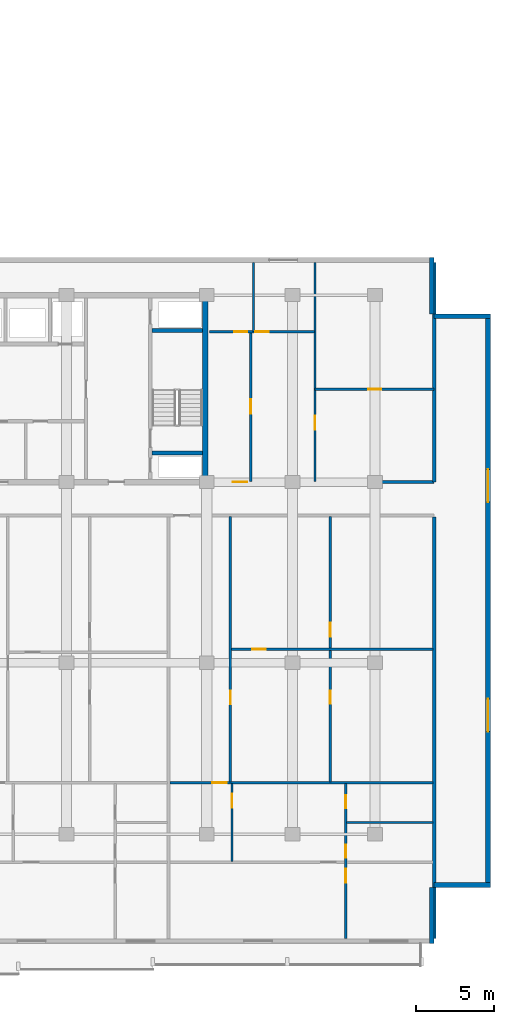
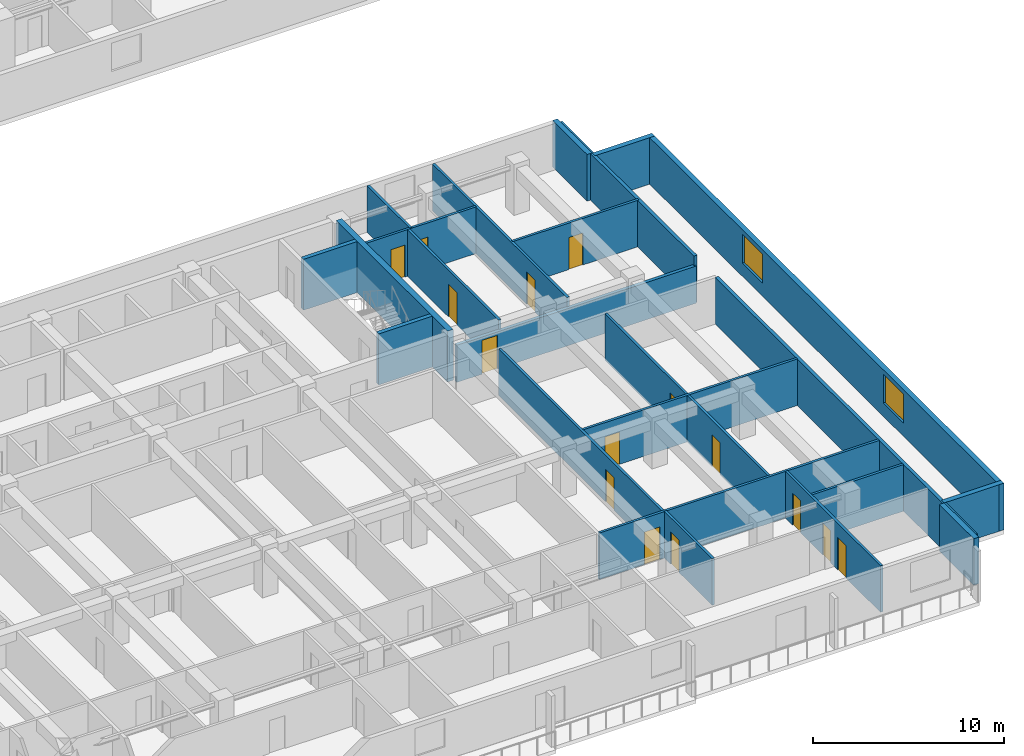
# One storey, part 8 of 23: 23 walls, 15 doors, 2 windows, 17 openings.
"""IFC4 building model written with IfcOpenShell, lengths in metres."""

from ifc_helpers import new_model, si_unit, direction, frame, frame_2d, origin, place, context, subcontext, project, spatial, rectangle, extrude, material, layer, layer_set, type_object, element, fill, save


model = new_model("IFC4")

# Units and contexts
model_context = context("Model", 3, precision=1e-05, world=origin(), true_north=direction((0.0, 1.0)))
body_context = subcontext(model_context, "Body", "Model", "MODEL_VIEW")
ifc_project = project(units=[si_unit("LENGTHUNIT", "METRE"), si_unit("AREAUNIT", "SQUARE_METRE"), si_unit("VOLUMEUNIT", "CUBIC_METRE"), si_unit("PLANEANGLEUNIT", "RADIAN"), si_unit("MASSUNIT", "GRAM", prefix="KILO")], contexts=[model_context])

# Site, building, storey
site_placement = place(None, origin())
site = spatial("IfcSite", under=ifc_project, at=site_placement, CompositionType="ELEMENT")
building_placement = place(site_placement, origin())
building = spatial("IfcBuilding", under=site, at=building_placement, Name="Korimba Cascade Residences", CompositionType="ELEMENT")
storey_placement = place(building_placement, frame((0.0, 0.0, 40.25)))
storey = spatial("IfcBuildingStorey", under=building, at=storey_placement, Name="L10", CompositionType="ELEMENT", Elevation=40.25)

# Walls
ifc_material_1 = material(Name="Precast concrete C40/50", Category="concrete")
ifc_layer_1 = layer(ifc_material_1, 0.300048828125)
ifc_layer_set_1 = layer_set([ifc_layer_1], Name="Precast concrete C40/50")
wall_type_1 = type_object("IfcWallType", Name="EW-STONE-300", PredefinedType="STANDARD", material=ifc_layer_set_1)
wall_1_placement = place(storey_placement, frame((132.550048828125, -11.199951171875, 0.0), z_axis=(0.0, 0.0, 1.0), x_axis=(0.0, 1.0, 0.0)))
element("IfcWall", 1, at=wall_1_placement, inside=storey, type_object=wall_type_1, Name="L10 T2 Perimeter Stone Wall E01", PredefinedType="STANDARD", context=body_context, shape_type="SweptSolid", body=[
    extrude(rectangle(XDim=3.599853515625, YDim=0.300048828125, at=frame_2d((1.7998046875, 0.0))), origin(), (0.0, 0.0, 1.0), 2.969970703125),
])
wall_2_placement = place(storey_placement, frame((132.699951171875, -7.449951171875, 0.0), z_axis=(0.0, 0.0, 1.0), x_axis=(1.0, 0.0, 0.0)))
element("IfcWall", 2, at=wall_2_placement, inside=storey, type_object=wall_type_1, Name="L10 T2 Perimeter Stone Wall E02", PredefinedType="STANDARD", context=body_context, shape_type="SweptSolid", body=[
    extrude(rectangle(XDim=3.60009765625, YDim=0.300048828125, at=frame_2d((1.800048828125, 0.0))), origin(), (0.0, 0.0, 1.0), 2.969970703125),
])

# Wall, openings, windows
wall_3_placement = place(storey_placement, frame((136.14990234375, -7.60009765625, 0.0), z_axis=(0.0, 0.0, 1.0), x_axis=(0.0, 1.0, 0.0)))
wall_3 = element("IfcWall", 3, at=wall_3_placement, inside=storey, type_object=wall_type_1, Name="L10 T2 Perimeter Stone Wall E03", PredefinedType="STANDARD", context=body_context, shape_type="SweptSolid", body=[
    extrude(rectangle(XDim=36.800048828125, YDim=0.300048828125, at=frame_2d((18.39990234375, 0.0))), origin(), (0.0, 0.0, 1.0), 2.969970703125),
])
opening_1_placement = place(wall_3_placement, frame((9.989990234375, 0.0, 0.85009765625)))
opening_1 = element("IfcOpeningElement", 4, at=opening_1_placement, cuts=wall_3, Name="Opening W-03", PredefinedType="OPENING", context=body_context, shape_type="SweptSolid", body=[
    extrude(rectangle(XDim=2.10009765625, YDim=1.85009765625, at=frame_2d((1.050048828125, 0.925048828125))), frame((0.0, 0.16015625, 0.0), z_axis=(0.0, -1.0, 0.0), x_axis=(1.0, 0.0, 0.0)), (0.0, 0.0, 1.0), 0.320068359375),
])
opening_2_placement = place(wall_3_placement, frame((24.7099609375, 0.0, 0.85009765625)))
opening_2 = element("IfcOpeningElement", 5, at=opening_2_placement, cuts=wall_3, Name="Opening W-03", PredefinedType="OPENING", context=body_context, shape_type="SweptSolid", body=[
    extrude(rectangle(XDim=2.10009765625, YDim=1.85009765625, at=frame_2d((1.050048828125, 0.925048828125))), frame((0.0, 0.16015625, 0.0), z_axis=(0.0, -1.0, 0.0), x_axis=(1.0, 0.0, 0.0)), (0.0, 0.0, 1.0), 0.320068359375),
])
ifc_material_2 = material(Name="Double-Glazed Aluminium Window", Category="aluminium")
window_type = type_object("IfcWindowType", Name="WIN-CRN-2100", PartitioningType="DOUBLE_PANEL_HORIZONTAL", PredefinedType="WINDOW", material=ifc_material_2)
window_1_placement = place(opening_1_placement, origin())
window_1 = element("IfcWindow", 6, at=window_1_placement, inside=storey, type_object=window_type, Name="L10 T2 End View Window 3.1", OverallHeight=1.85009765625, OverallWidth=2.10009765625, PartitioningType="DOUBLE_PANEL_HORIZONTAL", PredefinedType="WINDOW", context=body_context, shape_type="SweptSolid", body=[
    extrude(rectangle(XDim=2.10009765625, YDim=1.85009765625, at=frame_2d((1.050048828125, 0.925048828125))), frame((0.0, 0.030029296875, 0.0), z_axis=(0.0, -1.0, 0.0), x_axis=(1.0, 0.0, 0.0)), (0.0, 0.0, 1.0), 0.06005859375),
])
fill(opening_1, window_1)
window_2_placement = place(opening_2_placement, origin())
window_2 = element("IfcWindow", 7, at=window_2_placement, inside=storey, type_object=window_type, Name="L10 T2 End View Window 3.2", OverallHeight=1.85009765625, OverallWidth=2.10009765625, PartitioningType="DOUBLE_PANEL_HORIZONTAL", PredefinedType="WINDOW", context=body_context, shape_type="SweptSolid", body=[
    extrude(rectangle(XDim=2.10009765625, YDim=1.85009765625, at=frame_2d((1.050048828125, 0.925048828125))), frame((0.0, 0.030029296875, 0.0), z_axis=(0.0, -1.0, 0.0), x_axis=(1.0, 0.0, 0.0)), (0.0, 0.0, 1.0), 0.06005859375),
])
fill(opening_2, window_2)

# Walls
for number, where, z_axis, x_axis, name in (
    (8, (136.300048828125, 29.050048828125, 0.0), (0.0, 0.0, 1.0), (-1.0, 0.0, 0.0), "L10 T2 Perimeter Stone Wall E04"),
    (9, (132.550048828125, 29.199951171875, 0.0), (0.0, 0.0, 1.0), (0.0, 1.0, 0.0), "L10 T2 Perimeter Stone Wall E05"),
):
    element("IfcWall", number, at=place(storey_placement, frame(where, z_axis=z_axis, x_axis=x_axis)), inside=storey, type_object=wall_type_1, Name=name, PredefinedType="STANDARD", context=body_context, shape_type="SweptSolid", body=[
        extrude(rectangle(XDim=3.60009765625, YDim=0.300048828125, at=frame_2d((1.800048828125, 0.0))), origin(), (0.0, 0.0, 1.0), 2.969970703125),
    ])
ifc_material_3 = material(Name="Concrete C65/80", Category="concrete")
ifc_layer_2 = layer(ifc_material_3, 0.35009765625)
ifc_layer_set_2 = layer_set([ifc_layer_2], Name="Concrete C65/80")
wall_type_2 = type_object("IfcWallType", Name="WAL-CORE-350", PredefinedType="SHEAR", material=ifc_layer_set_2)
wall_4_placement = place(storey_placement, frame((118.014892578125, 18.574951171875, 0.0), z_axis=(0.0, 0.0, 1.0), x_axis=(0.0, 1.0, 0.0)))
element("IfcWall", 10, at=wall_4_placement, inside=storey, type_object=wall_type_2, Name="L10 Core Shear Wall CW-L10-T2-E", PredefinedType="SHEAR", context=body_context, shape_type="SweptSolid", body=[
    extrude(rectangle(XDim=11.650146484375, YDim=0.35009765625, at=frame_2d((5.8251953125, 0.0))), origin(), (0.0, 0.0, 1.0), 3.25),
])
ifc_layer_3 = layer(ifc_material_1, 0.199951171875)
ifc_layer_set_3 = layer_set([ifc_layer_3], Name="Precast concrete C40/50")
wall_type_3 = type_object("IfcWallType", Name="WAL-IT-200", PredefinedType="PARTITIONING", material=ifc_layer_set_3)
wall_5_placement = place(storey_placement, frame((132.699951171875, 18.39990234375, 0.0), z_axis=(0.0, 0.0, 1.0), x_axis=(0.0, 1.0, 0.0)))
element("IfcWall", 11, at=wall_5_placement, inside=storey, type_object=wall_type_3, Name="L10 Partition Wall WAL-L10-T2-FE-WR", PredefinedType="PARTITIONING", context=body_context, shape_type="SweptSolid", body=[
    extrude(rectangle(XDim=14.10009765625, YDim=0.199951171875, at=frame_2d((7.050048828125, 0.0))), origin(), (0.0, 0.0, 1.0), 2.969970703125),
])

# Wall, opening, door
wall_6_placement = place(storey_placement, frame((118.25, 18.39990234375, 0.0), z_axis=(0.0, 0.0, 1.0), x_axis=(1.0, 0.0, 0.0)))
wall_6 = element("IfcWall", 12, at=wall_6_placement, inside=storey, type_object=wall_type_3, Name="L10 Partition Wall WAL-L10-T2-FE-S", PredefinedType="PARTITIONING", context=body_context, shape_type="SweptSolid", body=[
    extrude(rectangle(XDim=14.449951171875, YDim=0.199951171875, at=frame_2d((7.22509765625, 0.0))), origin(), (0.0, 0.0, 1.0), 2.3701171875),
])
opening_3_placement = place(wall_6_placement, frame((1.510009765625, 0.0, 0.0)))
opening_3 = element("IfcOpeningElement", 13, at=opening_3_placement, cuts=wall_6, Name="Opening D-UN1", PredefinedType="OPENING", context=body_context, shape_type="SweptSolid", body=[
    extrude(rectangle(XDim=0.949951171875, YDim=2.14990234375, at=frame_2d((0.47509765625, 1.074951171875))), frame((0.0, 0.10986328125, 0.0), z_axis=(0.0, -1.0, 0.0), x_axis=(1.0, 0.0, 0.0)), (0.0, 0.0, 1.0), 0.219970703125),
])
ifc_material_4 = material(Name="Fire-Rated Hardwood Apartment Entrance Door", Category="wood")
door_type_1 = type_object("IfcDoorType", Name="DR-FD60-950", OperationType="NOTDEFINED", PredefinedType="DOOR", material=ifc_material_4)
door_1_placement = place(opening_3_placement, origin())
door_1 = element("IfcDoor", 14, at=door_1_placement, inside=storey, type_object=door_type_1, Name="L10-T2-FE Entrance Door", OperationType="SINGLE_SWING_LEFT", OverallHeight=2.14990234375, OverallWidth=0.949951171875, PredefinedType="DOOR", context=body_context, shape_type="SweptSolid", body=[
    extrude(rectangle(XDim=0.949951171875, YDim=2.14990234375, at=frame_2d((0.47509765625, 1.074951171875))), frame((0.0, 0.02490234375, 0.0), z_axis=(0.0, -1.0, 0.0), x_axis=(1.0, 0.0, 0.0)), (0.0, 0.0, 1.0), 0.050048828125),
])
fill(opening_3, door_1)

# Wall
wall_7_placement = place(storey_placement, frame((132.699951171875, -10.89990234375, 0.0), z_axis=(0.0, 0.0, 1.0), x_axis=(0.0, 1.0, 0.0)))
element("IfcWall", 15, at=wall_7_placement, inside=storey, type_object=wall_type_3, Name="L10 Partition Wall WAL-L10-T2-BNDWR", PredefinedType="PARTITIONING", context=body_context, shape_type="SweptSolid", body=[
    extrude(rectangle(XDim=27.06982421875, YDim=0.199951171875, at=frame_2d((13.534912109375, 0.0))), origin(), (0.0, 0.0, 1.0), 2.969970703125),
])

# Wall, opening, door
ifc_material_5 = material(Name="Insulated Acoustic Stud Partition", Category="gypsum")
ifc_layer_4 = layer(ifc_material_5, 0.14990234375)
ifc_layer_set_4 = layer_set([ifc_layer_4], Name="Insulated Acoustic Stud Partition")
wall_type_4 = type_object("IfcWallType", Name="WAL-PART-150", PredefinedType="PARTITIONING", material=ifc_layer_set_4)
wall_8_placement = place(storey_placement, frame((125.050048828125, 24.35009765625, 0.0), z_axis=(0.0, 0.0, 1.0), x_axis=(1.0, 0.0, 0.0)))
wall_8 = element("IfcWall", 16, at=wall_8_placement, inside=storey, type_object=wall_type_4, Name="L10 Partition Wall WAL-L10-T2-FE-STH", PredefinedType="PARTITIONING", context=body_context, shape_type="SweptSolid", body=[
    extrude(rectangle(XDim=7.64990234375, YDim=0.14990234375, at=frame_2d((3.824951171875, 0.0))), origin(), (0.0, 0.0, 1.0), 2.969970703125),
])
opening_4_placement = place(wall_8_placement, frame((3.405029296875, 0.0, 0.0)))
opening_4 = element("IfcOpeningElement", 17, at=opening_4_placement, cuts=wall_8, Name="Opening D-BT1", PredefinedType="OPENING", context=body_context, shape_type="SweptSolid", body=[
    extrude(rectangle(XDim=0.840087890625, YDim=2.0400390625, at=frame_2d((0.419921875, 1.02001953125))), frame((0.0, 0.0849609375, 0.0), z_axis=(0.0, -1.0, 0.0), x_axis=(1.0, 0.0, 0.0)), (0.0, 0.0, 1.0), 0.169921875),
])
ifc_material_6 = material(Name="Moisture-Resistant Bathroom Timber Door", Category="wood")
door_type_2 = type_object("IfcDoorType", Name="DR-INT-850", OperationType="NOTDEFINED", PredefinedType="DOOR", material=ifc_material_6)
door_2_placement = place(opening_4_placement, origin())
door_2 = element("IfcDoor", 18, at=door_2_placement, inside=storey, type_object=door_type_2, Name="L10-T2-FE Dressing Store Door", OperationType="SINGLE_SWING_RIGHT", OverallHeight=2.0400390625, OverallWidth=0.840087890625, PredefinedType="DOOR", context=body_context, shape_type="SweptSolid", body=[
    extrude(rectangle(XDim=0.840087890625, YDim=2.0400390625, at=frame_2d((0.419921875, 1.02001953125))), frame((0.0, 0.02490234375, 0.0), z_axis=(0.0, -1.0, 0.0), x_axis=(1.0, 0.0, 0.0)), (0.0, 0.0, 1.0), 0.050048828125),
])
fill(opening_4, door_2)

wall_9_placement = place(storey_placement, frame((125.050048828125, 18.449951171875, 0.0), z_axis=(0.0, 0.0, 1.0), x_axis=(0.0, 1.0, 0.0)))
wall_9 = element("IfcWall", 19, at=wall_9_placement, inside=storey, type_object=wall_type_4, Name="L10 Partition Wall WAL-L10-T2-FE-STV", PredefinedType="PARTITIONING", context=body_context, shape_type="SweptSolid", body=[
    extrude(rectangle(XDim=14.050048828125, YDim=0.14990234375, at=frame_2d((7.02490234375, 0.0))), origin(), (0.0, 0.0, 1.0), 2.969970703125),
])
opening_5_placement = place(wall_9_placement, frame((3.320068359375, 0.0, 0.0)))
opening_5 = element("IfcOpeningElement", 20, at=opening_5_placement, cuts=wall_9, Name="Opening D-IN2", PredefinedType="OPENING", context=body_context, shape_type="SweptSolid", body=[
    extrude(rectangle(XDim=0.8798828125, YDim=2.06005859375, at=frame_2d((0.43994140625, 1.030029296875))), frame((0.0, 0.0849609375, 0.0), z_axis=(0.0, -1.0, 0.0), x_axis=(1.0, 0.0, 0.0)), (0.0, 0.0, 1.0), 0.169921875),
])
ifc_material_7 = material(Name="Acoustic Timber Bedroom Door", Category="wood")
door_type_3 = type_object("IfcDoorType", Name="DR-INT-880", OperationType="NOTDEFINED", PredefinedType="DOOR", material=ifc_material_7)
door_3_placement = place(opening_5_placement, origin())
door_3 = element("IfcDoor", 21, at=door_3_placement, inside=storey, type_object=door_type_3, Name="L10-T2-FE Study Door", OperationType="SINGLE_SWING_LEFT", OverallHeight=2.06005859375, OverallWidth=0.8798828125, PredefinedType="DOOR", context=body_context, shape_type="SweptSolid", body=[
    extrude(rectangle(XDim=0.8798828125, YDim=2.06005859375, at=frame_2d((0.43994140625, 1.030029296875))), frame((0.0, 0.02490234375, 0.0), z_axis=(0.0, -1.0, 0.0), x_axis=(1.0, 0.0, 0.0)), (0.0, 0.0, 1.0), 0.050048828125),
])
fill(opening_5, door_3)

wall_10_placement = place(storey_placement, frame((120.929931640625, 18.449951171875, 0.0), z_axis=(0.0, 0.0, 1.0), x_axis=(0.0, 1.0, 0.0)))
wall_10 = element("IfcWall", 22, at=wall_10_placement, inside=storey, type_object=wall_type_4, Name="L10 Partition Wall WAL-L10-T2-FE-VS", PredefinedType="PARTITIONING", context=body_context, shape_type="SweptSolid", body=[
    extrude(rectangle(XDim=9.60009765625, YDim=0.14990234375, at=frame_2d((4.800048828125, 0.0))), origin(), (0.0, 0.0, 1.0), 2.969970703125),
])
opening_6_placement = place(wall_10_placement, frame((4.340087890625, 0.0, 0.0)))
opening_6 = element("IfcOpeningElement", 23, at=opening_6_placement, cuts=wall_10, Name="Opening D-IN1", PredefinedType="OPENING", context=body_context, shape_type="SweptSolid", body=[
    extrude(rectangle(XDim=0.919921875, YDim=2.080078125, at=frame_2d((0.4599609375, 1.0400390625))), frame((0.0, 0.0849609375, 0.0), z_axis=(0.0, -1.0, 0.0), x_axis=(1.0, 0.0, 0.0)), (0.0, 0.0, 1.0), 0.169921875),
])
ifc_material_8 = material(Name="Acoustic Timber Living Door", Category="wood")
door_type_4 = type_object("IfcDoorType", Name="DR-INT-920", OperationType="NOTDEFINED", PredefinedType="DOOR", material=ifc_material_8)
door_4_placement = place(opening_6_placement, origin())
door_4 = element("IfcDoor", 24, at=door_4_placement, inside=storey, type_object=door_type_4, Name="L10-T2-FE Living Door", OperationType="SINGLE_SWING_RIGHT", OverallHeight=2.080078125, OverallWidth=0.919921875, PredefinedType="DOOR", context=body_context, shape_type="SweptSolid", body=[
    extrude(rectangle(XDim=0.919921875, YDim=2.080078125, at=frame_2d((0.4599609375, 1.0400390625))), frame((0.0, 0.02490234375, 0.0), z_axis=(0.0, -1.0, 0.0), x_axis=(1.0, 0.0, 0.0)), (0.0, 0.0, 1.0), 0.050048828125),
])
fill(opening_6, door_4)

# Wall
wall_11_placement = place(storey_placement, frame((121.10009765625, 28.050048828125, 0.0), z_axis=(0.0, 0.0, 1.0), x_axis=(0.0, 1.0, 0.0)))
element("IfcWall", 25, at=wall_11_placement, inside=storey, type_object=wall_type_4, Name="L10 Partition Wall WAL-L10-T2-FE-VN", PredefinedType="PARTITIONING", context=body_context, shape_type="SweptSolid", body=[
    extrude(rectangle(XDim=4.449951171875, YDim=0.14990234375, at=frame_2d((2.22509765625, 0.0))), origin(), (0.0, 0.0, 1.0), 2.969970703125),
])

# Wall, openings, doors
wall_12_placement = place(storey_placement, frame((118.27001953125, 28.050048828125, 0.0), z_axis=(0.0, 0.0, 1.0), x_axis=(1.0, 0.0, 0.0)))
wall_12 = element("IfcWall", 26, at=wall_12_placement, inside=storey, type_object=wall_type_4, Name="L10 Partition Wall WAL-L10-T2-FE-H", PredefinedType="PARTITIONING", context=body_context, shape_type="SweptSolid", body=[
    extrude(rectangle(XDim=6.760009765625, YDim=0.14990234375, at=frame_2d((3.3798828125, 0.0))), origin(), (0.0, 0.0, 1.0), 2.969970703125),
])
opening_7_placement = place(wall_12_placement, frame((1.58740234375, 0.0, 0.0)))
opening_7 = element("IfcOpeningElement", 27, at=opening_7_placement, cuts=wall_12, Name="Opening D-BT1", PredefinedType="OPENING", context=body_context, shape_type="SweptSolid", body=[
    extrude(rectangle(XDim=0.840087890625, YDim=2.0400390625, at=frame_2d((0.419921875, 1.02001953125))), frame((0.0, 0.0849609375, 0.0), z_axis=(0.0, -1.0, 0.0), x_axis=(1.0, 0.0, 0.0)), (0.0, 0.0, 1.0), 0.169921875),
])
opening_8_placement = place(wall_12_placement, frame((2.93408203125, 0.0, 0.0)))
opening_8 = element("IfcOpeningElement", 28, at=opening_8_placement, cuts=wall_12, Name="Opening D-IN2", PredefinedType="OPENING", context=body_context, shape_type="SweptSolid", body=[
    extrude(rectangle(XDim=0.8798828125, YDim=2.06005859375, at=frame_2d((0.43994140625, 1.030029296875))), frame((0.0, 0.0849609375, 0.0), z_axis=(0.0, -1.0, 0.0), x_axis=(1.0, 0.0, 0.0)), (0.0, 0.0, 1.0), 0.169921875),
])
door_5_placement = place(opening_7_placement, origin())
door_5 = element("IfcDoor", 29, at=door_5_placement, inside=storey, type_object=door_type_2, Name="L10-T2-FE Bathroom Door", OperationType="SINGLE_SWING_LEFT", OverallHeight=2.0400390625, OverallWidth=0.840087890625, PredefinedType="DOOR", context=body_context, shape_type="SweptSolid", body=[
    extrude(rectangle(XDim=0.840087890625, YDim=2.0400390625, at=frame_2d((0.419921875, 1.02001953125))), frame((0.0, 0.02490234375, 0.0), z_axis=(0.0, -1.0, 0.0), x_axis=(1.0, 0.0, 0.0)), (0.0, 0.0, 1.0), 0.050048828125),
])
fill(opening_7, door_5)
door_6_placement = place(opening_8_placement, origin())
door_6 = element("IfcDoor", 30, at=door_6_placement, inside=storey, type_object=door_type_3, Name="L10-T2-FE Bedroom Door", OperationType="SINGLE_SWING_RIGHT", OverallHeight=2.06005859375, OverallWidth=0.8798828125, PredefinedType="DOOR", context=body_context, shape_type="SweptSolid", body=[
    extrude(rectangle(XDim=0.8798828125, YDim=2.06005859375, at=frame_2d((0.43994140625, 1.030029296875))), frame((0.0, 0.02490234375, 0.0), z_axis=(0.0, -1.0, 0.0), x_axis=(1.0, 0.0, 0.0)), (0.0, 0.0, 1.0), 0.050048828125),
])
fill(opening_8, door_6)

wall_13_placement = place(storey_placement, frame((126.030517578125, -0.860107421875, 0.0), z_axis=(0.0, 0.0, 1.0), x_axis=(0.0, 1.0, 0.0)))
wall_13 = element("IfcWall", 31, at=wall_13_placement, inside=storey, type_object=wall_type_4, Name="L10 Partition Wall WAL-L10-T2-U04-FMV", PredefinedType="PARTITIONING", context=body_context, shape_type="SweptSolid", body=[
    extrude(rectangle(XDim=17.050048828125, YDim=0.14990234375, at=frame_2d((8.52490234375, 0.0))), origin(), (0.0, 0.0, 1.0), 2.969970703125),
])
opening_9_placement = place(wall_13_placement, frame((5.026123046875, 0.0, 0.0)))
opening_9 = element("IfcOpeningElement", 32, at=opening_9_placement, cuts=wall_13, Name="Opening D-BT1", PredefinedType="OPENING", context=body_context, shape_type="SweptSolid", body=[
    extrude(rectangle(XDim=0.840087890625, YDim=2.0400390625, at=frame_2d((0.419921875, 1.02001953125))), frame((0.0, 0.0849609375, 0.0), z_axis=(0.0, -1.0, 0.0), x_axis=(1.0, 0.0, 0.0)), (0.0, 0.0, 1.0), 0.169921875),
])
opening_10_placement = place(wall_13_placement, frame((9.338623046875, 0.0, 0.0)))
opening_10 = element("IfcOpeningElement", 33, at=opening_10_placement, cuts=wall_13, Name="Opening D-IN2", PredefinedType="OPENING", context=body_context, shape_type="SweptSolid", body=[
    extrude(rectangle(XDim=0.8798828125, YDim=2.06005859375, at=frame_2d((0.43994140625, 1.030029296875))), frame((0.0, 0.0849609375, 0.0), z_axis=(0.0, -1.0, 0.0), x_axis=(1.0, 0.0, 0.0)), (0.0, 0.0, 1.0), 0.169921875),
])
door_7_placement = place(opening_9_placement, origin())
door_7 = element("IfcDoor", 34, at=door_7_placement, inside=storey, type_object=door_type_2, Name="L10-T2-U04 Wardrobe Door", OperationType="SINGLE_SWING_RIGHT", OverallHeight=2.0400390625, OverallWidth=0.840087890625, PredefinedType="DOOR", context=body_context, shape_type="SweptSolid", body=[
    extrude(rectangle(XDim=0.840087890625, YDim=2.0400390625, at=frame_2d((0.419921875, 1.02001953125))), frame((0.0, 0.02490234375, 0.0), z_axis=(0.0, -1.0, 0.0), x_axis=(1.0, 0.0, 0.0)), (0.0, 0.0, 1.0), 0.050048828125),
])
fill(opening_9, door_7)
door_8_placement = place(opening_10_placement, origin())
door_8 = element("IfcDoor", 35, at=door_8_placement, inside=storey, type_object=door_type_3, Name="L10-T2-U04 Music Lounge Door", OperationType="SINGLE_SWING_LEFT", OverallHeight=2.06005859375, OverallWidth=0.8798828125, PredefinedType="DOOR", context=body_context, shape_type="SweptSolid", body=[
    extrude(rectangle(XDim=0.8798828125, YDim=2.06005859375, at=frame_2d((0.43994140625, 1.030029296875))), frame((0.0, 0.02490234375, 0.0), z_axis=(0.0, -1.0, 0.0), x_axis=(1.0, 0.0, 0.0)), (0.0, 0.0, 1.0), 0.050048828125),
])
fill(opening_10, door_8)

# Wall, opening, door
wall_14_placement = place(storey_placement, frame((119.680908203125, 7.6650390625, 0.0), z_axis=(0.0, 0.0, 1.0), x_axis=(1.0, 0.0, 0.0)))
wall_14 = element("IfcWall", 36, at=wall_14_placement, inside=storey, type_object=wall_type_4, Name="L10 Partition Wall WAL-L10-T2-U04-FMH", PredefinedType="PARTITIONING", context=body_context, shape_type="SweptSolid", body=[
    extrude(rectangle(XDim=12.939208984375, YDim=0.14990234375, at=frame_2d((6.4697265625, 0.0))), origin(), (0.0, 0.0, 1.0), 2.969970703125),
])
opening_11_placement = place(wall_14_placement, frame((1.329833984375, 0.0, 0.0)))
opening_11 = element("IfcOpeningElement", 37, at=opening_11_placement, cuts=wall_14, Name="Opening D-IN2", PredefinedType="OPENING", context=body_context, shape_type="SweptSolid", body=[
    extrude(rectangle(XDim=0.8798828125, YDim=2.06005859375, at=frame_2d((0.43994140625, 1.030029296875))), frame((0.0, 0.0849609375, 0.0), z_axis=(0.0, -1.0, 0.0), x_axis=(1.0, 0.0, 0.0)), (0.0, 0.0, 1.0), 0.169921875),
])
door_9_placement = place(opening_11_placement, origin())
door_9 = element("IfcDoor", 38, at=door_9_placement, inside=storey, type_object=door_type_3, Name="L10-T2-U04 Library Salon Door", OperationType="SINGLE_SWING_RIGHT", OverallHeight=2.06005859375, OverallWidth=0.8798828125, PredefinedType="DOOR", context=body_context, shape_type="SweptSolid", body=[
    extrude(rectangle(XDim=0.8798828125, YDim=2.06005859375, at=frame_2d((0.43994140625, 1.030029296875))), frame((0.0, 0.02490234375, 0.0), z_axis=(0.0, -1.0, 0.0), x_axis=(1.0, 0.0, 0.0)), (0.0, 0.0, 1.0), 0.050048828125),
])
fill(opening_11, door_9)

wall_15_placement = place(storey_placement, frame((119.620849609375, -0.860107421875, 0.0), z_axis=(0.0, 0.0, 1.0), x_axis=(0.0, 1.0, 0.0)))
wall_15 = element("IfcWall", 39, at=wall_15_placement, inside=storey, type_object=wall_type_4, Name="L10 Partition Wall WAL-L10-T2-U04-FV", PredefinedType="PARTITIONING", context=body_context, shape_type="SweptSolid", body=[
    extrude(rectangle(XDim=17.050048828125, YDim=0.14990234375, at=frame_2d((8.52490234375, 0.0))), origin(), (0.0, 0.0, 1.0), 2.969970703125),
])
opening_12_placement = place(wall_15_placement, frame((4.999755859375, 0.0, 0.0)))
opening_12 = element("IfcOpeningElement", 40, at=opening_12_placement, cuts=wall_15, Name="Opening D-IN2", PredefinedType="OPENING", context=body_context, shape_type="SweptSolid", body=[
    extrude(rectangle(XDim=0.8798828125, YDim=2.06005859375, at=frame_2d((0.43994140625, 1.030029296875))), frame((0.0, 0.0849609375, 0.0), z_axis=(0.0, -1.0, 0.0), x_axis=(1.0, 0.0, 0.0)), (0.0, 0.0, 1.0), 0.169921875),
])
door_10_placement = place(opening_12_placement, origin())
door_10 = element("IfcDoor", 41, at=door_10_placement, inside=storey, type_object=door_type_3, Name="L10-T2-U04 Media Lounge Door", OperationType="SINGLE_SWING_LEFT", OverallHeight=2.06005859375, OverallWidth=0.8798828125, PredefinedType="DOOR", context=body_context, shape_type="SweptSolid", body=[
    extrude(rectangle(XDim=0.8798828125, YDim=2.06005859375, at=frame_2d((0.43994140625, 1.030029296875))), frame((0.0, 0.02490234375, 0.0), z_axis=(0.0, -1.0, 0.0), x_axis=(1.0, 0.0, 0.0)), (0.0, 0.0, 1.0), 0.050048828125),
])
fill(opening_12, door_10)

wall_16_placement = place(storey_placement, frame((119.720947265625, -5.93994140625, 0.0), z_axis=(0.0, 0.0, 1.0), x_axis=(0.0, 1.0, 0.0)))
wall_16 = element("IfcWall", 42, at=wall_16_placement, inside=storey, type_object=wall_type_4, Name="L10 Partition Wall WAL-L10-T2-U04-VDIN", PredefinedType="PARTITIONING", context=body_context, shape_type="SweptSolid", body=[
    extrude(rectangle(XDim=5.0, YDim=0.14990234375, at=frame_2d((2.5, 0.0))), origin(), (0.0, 0.0, 1.0), 2.969970703125),
])
opening_13_placement = place(wall_16_placement, frame((3.454345703125, 0.0, 0.0)))
opening_13 = element("IfcOpeningElement", 43, at=opening_13_placement, cuts=wall_16, Name="Opening D-IN2", PredefinedType="OPENING", context=body_context, shape_type="SweptSolid", body=[
    extrude(rectangle(XDim=0.8798828125, YDim=2.06005859375, at=frame_2d((0.43994140625, 1.030029296875))), frame((0.0, 0.0849609375, 0.0), z_axis=(0.0, -1.0, 0.0), x_axis=(1.0, 0.0, 0.0)), (0.0, 0.0, 1.0), 0.169921875),
])
door_11_placement = place(opening_13_placement, origin())
door_11 = element("IfcDoor", 44, at=door_11_placement, inside=storey, type_object=door_type_3, Name="L10-T2-U04 Dining Room Door", OperationType="SINGLE_SWING_RIGHT", OverallHeight=2.06005859375, OverallWidth=0.8798828125, PredefinedType="DOOR", context=body_context, shape_type="SweptSolid", body=[
    extrude(rectangle(XDim=0.8798828125, YDim=2.06005859375, at=frame_2d((0.43994140625, 1.030029296875))), frame((0.0, 0.02490234375, 0.0), z_axis=(0.0, -1.0, 0.0), x_axis=(1.0, 0.0, 0.0)), (0.0, 0.0, 1.0), 0.050048828125),
])
fill(opening_13, door_11)

# Wall
wall_17_placement = place(storey_placement, frame((127.080078125, -3.43994140625, 0.0), z_axis=(0.0, 0.0, 1.0), x_axis=(1.0, 0.0, 0.0)))
element("IfcWall", 45, at=wall_17_placement, inside=storey, type_object=wall_type_4, Name="L10 Partition Wall WAL-L10-T2-U04-BLDIV", PredefinedType="PARTITIONING", context=body_context, shape_type="SweptSolid", body=[
    extrude(rectangle(XDim=5.5400390625, YDim=0.14990234375, at=frame_2d((2.77001953125, 0.0))), origin(), (0.0, 0.0, 1.0), 2.969970703125),
])

# Wall, openings, doors
wall_18_placement = place(storey_placement, frame((127.02001953125, -10.89990234375, 0.0), z_axis=(0.0, 0.0, 1.0), x_axis=(0.0, 1.0, 0.0)))
wall_18 = element("IfcWall", 46, at=wall_18_placement, inside=storey, type_object=wall_type_4, Name="L10 Partition Wall WAL-L10-T2-U04-V1", PredefinedType="PARTITIONING", context=body_context, shape_type="SweptSolid", body=[
    extrude(rectangle(XDim=9.9599609375, YDim=0.14990234375, at=frame_2d((4.97998046875, 0.0))), origin(), (0.0, 0.0, 1.0), 2.969970703125),
])
opening_14_placement = place(wall_18_placement, frame((5.199951171875, 0.0, 0.0)))
opening_14 = element("IfcOpeningElement", 47, at=opening_14_placement, cuts=wall_18, Name="Opening D-BT1", PredefinedType="OPENING", context=body_context, shape_type="SweptSolid", body=[
    extrude(rectangle(XDim=0.840087890625, YDim=2.0400390625, at=frame_2d((0.419921875, 1.02001953125))), frame((0.0, 0.0849609375, 0.0), z_axis=(0.0, -1.0, 0.0), x_axis=(1.0, 0.0, 0.0)), (0.0, 0.0, 1.0), 0.169921875),
])
opening_15_placement = place(wall_18_placement, frame((8.359130859375, 0.0, 0.0)))
opening_15 = element("IfcOpeningElement", 48, at=opening_15_placement, cuts=wall_18, Name="Opening D-BT1", PredefinedType="OPENING", context=body_context, shape_type="SweptSolid", body=[
    extrude(rectangle(XDim=0.840087890625, YDim=2.0400390625, at=frame_2d((0.419921875, 1.02001953125))), frame((0.0, 0.0849609375, 0.0), z_axis=(0.0, -1.0, 0.0), x_axis=(1.0, 0.0, 0.0)), (0.0, 0.0, 1.0), 0.169921875),
])
opening_16_placement = place(wall_18_placement, frame((3.60009765625, 0.0, 0.0)))
opening_16 = element("IfcOpeningElement", 49, at=opening_16_placement, cuts=wall_18, Name="Opening D-IN2", PredefinedType="OPENING", context=body_context, shape_type="SweptSolid", body=[
    extrude(rectangle(XDim=0.8798828125, YDim=2.06005859375, at=frame_2d((0.43994140625, 1.030029296875))), frame((0.0, 0.0849609375, 0.0), z_axis=(0.0, -1.0, 0.0), x_axis=(1.0, 0.0, 0.0)), (0.0, 0.0, 1.0), 0.169921875),
])
door_12_placement = place(opening_14_placement, origin())
door_12 = element("IfcDoor", 50, at=door_12_placement, inside=storey, type_object=door_type_2, Name="L10-T2-U04 Bathroom Door", OperationType="SINGLE_SWING_LEFT", OverallHeight=2.0400390625, OverallWidth=0.840087890625, PredefinedType="DOOR", context=body_context, shape_type="SweptSolid", body=[
    extrude(rectangle(XDim=0.840087890625, YDim=2.0400390625, at=frame_2d((0.419921875, 1.02001953125))), frame((0.0, 0.02490234375, 0.0), z_axis=(0.0, -1.0, 0.0), x_axis=(1.0, 0.0, 0.0)), (0.0, 0.0, 1.0), 0.050048828125),
])
fill(opening_14, door_12)
door_13_placement = place(opening_15_placement, origin())
door_13 = element("IfcDoor", 51, at=door_13_placement, inside=storey, type_object=door_type_2, Name="L10-T2-U04 Laundry Door", OperationType="SINGLE_SWING_RIGHT", OverallHeight=2.0400390625, OverallWidth=0.840087890625, PredefinedType="DOOR", context=body_context, shape_type="SweptSolid", body=[
    extrude(rectangle(XDim=0.840087890625, YDim=2.0400390625, at=frame_2d((0.419921875, 1.02001953125))), frame((0.0, 0.02490234375, 0.0), z_axis=(0.0, -1.0, 0.0), x_axis=(1.0, 0.0, 0.0)), (0.0, 0.0, 1.0), 0.050048828125),
])
fill(opening_15, door_13)
door_14_placement = place(opening_16_placement, origin())
door_14 = element("IfcDoor", 52, at=door_14_placement, inside=storey, type_object=door_type_3, Name="L10-T2-U04 Bedroom 1 Door", OperationType="SINGLE_SWING_LEFT", OverallHeight=2.06005859375, OverallWidth=0.8798828125, PredefinedType="DOOR", context=body_context, shape_type="SweptSolid", body=[
    extrude(rectangle(XDim=0.8798828125, YDim=2.06005859375, at=frame_2d((0.43994140625, 1.030029296875))), frame((0.0, 0.02490234375, 0.0), z_axis=(0.0, -1.0, 0.0), x_axis=(1.0, 0.0, 0.0)), (0.0, 0.0, 1.0), 0.050048828125),
])
fill(opening_16, door_14)

# Wall, opening, door
wall_19_placement = place(storey_placement, frame((115.73095703125, -0.89990234375, 0.0), z_axis=(0.0, 0.0, 1.0), x_axis=(1.0, 0.0, 0.0)))
wall_19 = element("IfcWall", 53, at=wall_19_placement, inside=storey, type_object=wall_type_4, Name="L10 Partition Wall WAL-L10-T2-U04-MW", PredefinedType="PARTITIONING", context=body_context, shape_type="SweptSolid", body=[
    extrude(rectangle(XDim=16.88916015625, YDim=0.14990234375, at=frame_2d((8.444580078125, 0.0))), origin(), (0.0, 0.0, 1.0), 2.969970703125),
])
opening_17_placement = place(wall_19_placement, frame((2.719970703125, 0.0, 0.0)))
opening_17 = element("IfcOpeningElement", 54, at=opening_17_placement, cuts=wall_19, Name="Opening D-IN1", PredefinedType="OPENING", context=body_context, shape_type="SweptSolid", body=[
    extrude(rectangle(XDim=0.919921875, YDim=2.080078125, at=frame_2d((0.4599609375, 1.0400390625))), frame((0.0, 0.0849609375, 0.0), z_axis=(0.0, -1.0, 0.0), x_axis=(1.0, 0.0, 0.0)), (0.0, 0.0, 1.0), 0.169921875),
])
door_15_placement = place(opening_17_placement, origin())
door_15 = element("IfcDoor", 55, at=door_15_placement, inside=storey, type_object=door_type_4, Name="L10-T2-U04 Kitchen Archway Door", OperationType="SINGLE_SWING_RIGHT", OverallHeight=2.080078125, OverallWidth=0.919921875, PredefinedType="DOOR", context=body_context, shape_type="SweptSolid", body=[
    extrude(rectangle(XDim=0.919921875, YDim=2.080078125, at=frame_2d((0.4599609375, 1.0400390625))), frame((0.0, 0.02490234375, 0.0), z_axis=(0.0, -1.0, 0.0), x_axis=(1.0, 0.0, 0.0)), (0.0, 0.0, 1.0), 0.050048828125),
])
fill(opening_17, door_15)

# Walls
ifc_material_9 = material(Name="Concrete C50/60", Category="concrete")
ifc_layer_5 = layer(ifc_material_9, 0.25)
ifc_layer_set_5 = layer_set([ifc_layer_5], Name="Concrete C50/60")
wall_type_5 = type_object("IfcWallType", Name="WAL-SHAFT-250", PredefinedType="SHEAR", material=ifc_layer_set_5)
for number, where, z_axis, x_axis, name in (
    (56, (114.60009765625, 20.27490234375, 0.0), (0.0, 0.0, 1.0), (1.0, 0.0, 0.0), "L10 Core Shear Wall CW-L10-T2-STE2S"),
    (57, (114.60009765625, 28.125, 0.0), (0.0, 0.0, 1.0), (1.0, 0.0, 0.0), "L10 Core Shear Wall CW-L10-T2-STE2N"),
):
    element("IfcWall", number, at=place(storey_placement, frame(where, z_axis=z_axis, x_axis=x_axis)), inside=storey, type_object=wall_type_5, Name=name, PredefinedType="SHEAR", context=body_context, shape_type="SweptSolid", body=[
        extrude(rectangle(XDim=3.239990234375, YDim=0.25, at=frame_2d((1.6201171875, 0.0))), origin(), (0.0, 0.0, 1.0), 3.25),
    ])

save(model, "model.ifc")
